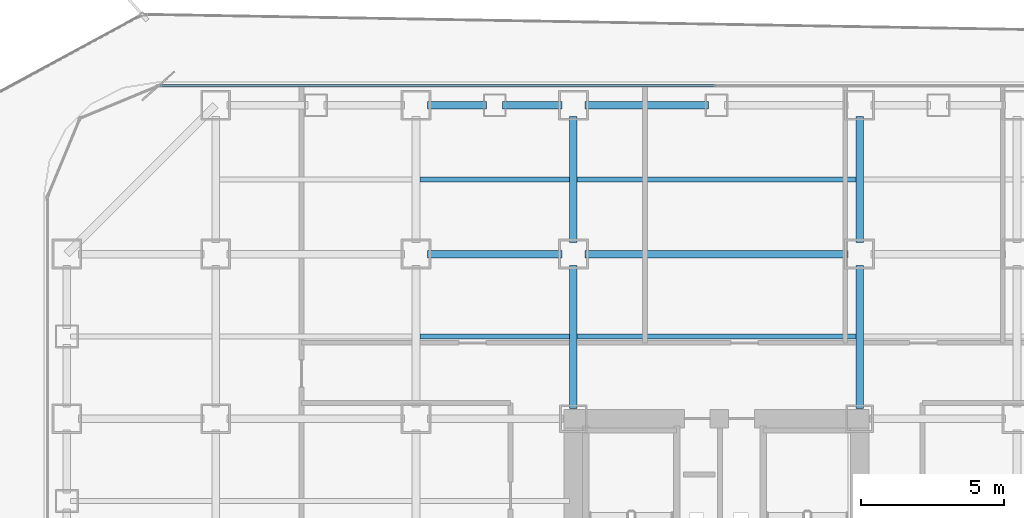
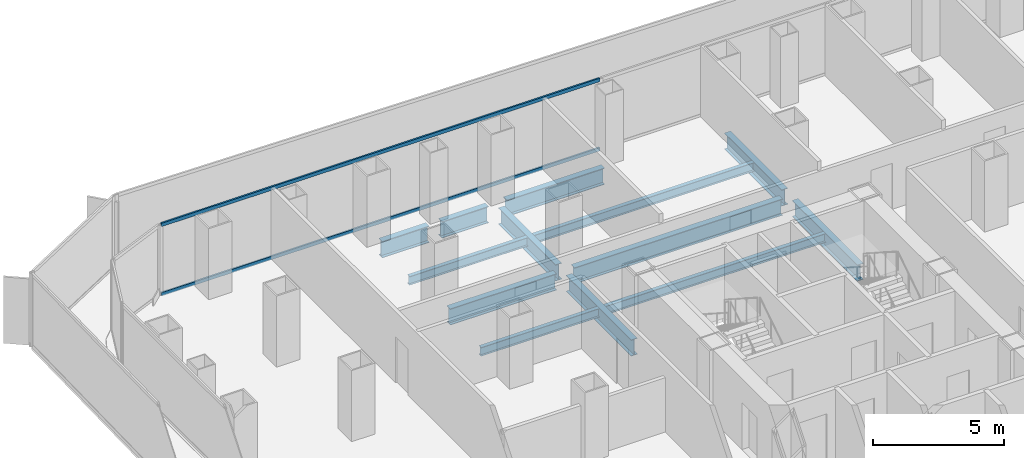
# One storey, part 12 of 22: 13 beams, 2 members, 1 element without a shape of its own.
"""IFC4 building model written with IfcOpenShell, lengths in metres."""

from ifc_helpers import new_model, si_unit, direction, frame, origin, origin_2d, place, context, subcontext, project, spatial, hollow_rectangle, i_section, extrude, source, transform, mapped, material, layer, layer_set, material_profile, profile_set, type_object, element, aggregate, save


model = new_model("IFC4")

# Units and contexts
model_context = context("Model", 3, precision=1e-05, world=origin(), true_north=direction((0.0, 1.0)))
body_context = subcontext(model_context, "Body", "Model", "MODEL_VIEW")
ifc_project = project(units=[si_unit("LENGTHUNIT", "METRE"), si_unit("AREAUNIT", "SQUARE_METRE"), si_unit("VOLUMEUNIT", "CUBIC_METRE"), si_unit("PLANEANGLEUNIT", "RADIAN"), si_unit("MASSUNIT", "GRAM", prefix="KILO")], contexts=[model_context])

# Site, building, storey
site_placement = place(None, origin())
site = spatial("IfcSite", under=ifc_project, at=site_placement, CompositionType="ELEMENT")
building_placement = place(site_placement, origin())
building = spatial("IfcBuilding", under=site, at=building_placement, Name="Kolveth Station Tower", CompositionType="ELEMENT")
storey_placement = place(building_placement, frame((0.0, 0.0, 54.89990234375)))
storey = spatial("IfcBuildingStorey", under=building, at=storey_placement, Name="L14", CompositionType="ELEMENT", Elevation=54.89990234375)

# Beams
ifc_material_1 = material(Name="Steel S355", Category="steel")
ifc_material_profile_1 = material_profile(ifc_material_1, i_section(OverallWidth=0.26904296875, OverallDepth=0.77490234375, WebThickness=0.01708984375, FlangeThickness=0.0283203125, at=origin_2d()), Name="W760x220")
ifc_profile_set_1 = profile_set([ifc_material_profile_1], Name="Steel S355")
beam_type_1 = type_object("IfcBeamType", Name="Beam_SP1", PredefinedType="SPANDREL", material=ifc_profile_set_1)
shared_shape_1 = source(origin(), body_context, "Body", "SweptSolid", [
    extrude(i_section(OverallWidth=0.26904296875, OverallDepth=0.77490234375, WebThickness=0.01708984375, FlangeThickness=0.0283203125, at=origin_2d()), origin(), (0.0, 0.0, 1.0), 2.070068359375),
])
for number, where, z_axis, x_axis, name in (
    (1, (13.39990234375, 39.699951171875, -0.66748046875), (1.0, 0.0, 0.0), (0.0, 1.0, 0.0), "L14 Perimeter Spandrel BM-L14-PN-3"),
    (2, (16.030029296875, 39.699951171875, -0.66748046875), (1.0, 0.0, 0.0), (0.0, 1.0, 0.0), "L14 Perimeter Spandrel BM-L14-PN-4"),
):
    element("IfcBeam", number, at=place(storey_placement, frame(where, z_axis=z_axis, x_axis=x_axis)), inside=storey, type_object=beam_type_1, Name=name, PredefinedType="SPANDREL", context=body_context, shape_type="MappedRepresentation", body=[
        mapped(shared_shape_1, transform((0.0, 0.0, 0.0), x_axis=(1.0, 0.0, 0.0), y_axis=(0.0, 1.0, 0.0), z_axis=(0.0, 0.0, 1.0), scale=1.0)),
    ])
shared_shape_2 = source(origin(), body_context, "Body", "SweptSolid", [
    extrude(i_section(OverallWidth=0.26904296875, OverallDepth=0.77490234375, WebThickness=0.01708984375, FlangeThickness=0.0283203125, at=origin_2d()), origin(), (0.0, 0.0, 1.0), 4.320068359375),
])
beam_1_placement = place(storey_placement, frame((18.89990234375, 39.699951171875, -0.66748046875), z_axis=(1.0, 0.0, 0.0), x_axis=(0.0, 1.0, 0.0)))
element("IfcBeam", 3, at=beam_1_placement, inside=storey, type_object=beam_type_1, Name="L14 Perimeter Spandrel BM-L14-PN-5", PredefinedType="SPANDREL", context=body_context, shape_type="MappedRepresentation", body=[
    mapped(shared_shape_2, transform((0.0, 0.0, 0.0), x_axis=(1.0, 0.0, 0.0), y_axis=(0.0, 1.0, 0.0), z_axis=(0.0, 0.0, 1.0), scale=1.0)),
])
ifc_material_profile_2 = material_profile(ifc_material_1, i_section(OverallWidth=0.26708984375, OverallDepth=0.76611328125, WebThickness=0.014892578125, FlangeThickness=0.023681640625, at=origin_2d()), Name="W760x185")
ifc_profile_set_2 = profile_set([ifc_material_profile_2], Name="Steel S355")
beam_type_2 = type_object("IfcBeamType", Name="Beam_B3", PredefinedType="BEAM", material=ifc_profile_set_2)
shared_shape_3 = source(origin(), body_context, "Body", "SweptSolid", [
    extrude(i_section(OverallWidth=0.26708984375, OverallDepth=0.76611328125, WebThickness=0.014892578125, FlangeThickness=0.023681640625, at=origin_2d()), origin(), (0.0, 0.0, 1.0), 4.400146484375),
])
for number, where, z_axis, x_axis, name in (
    (4, (18.5, 34.89990234375, -0.662841796875), (0.0, 1.0, 0.0), (-1.0, 0.0, 0.0), "L14 Primary Girder BM-L14-GX185-7"),
    (5, (28.5, 34.89990234375, -0.662841796875), (0.0, 1.0, 0.0), (-1.0, 0.0, 0.0), "L14 Primary Girder BM-L14-GX285-7"),
):
    element("IfcBeam", number, at=place(storey_placement, frame(where, z_axis=z_axis, x_axis=x_axis)), inside=storey, type_object=beam_type_2, Name=name, PredefinedType="BEAM", context=body_context, shape_type="MappedRepresentation", body=[
        mapped(shared_shape_3, transform((0.0, 0.0, 0.0), x_axis=(1.0, 0.0, 0.0), y_axis=(0.0, 1.0, 0.0), z_axis=(0.0, 0.0, 1.0), scale=1.0)),
    ])
shared_shape_4 = source(origin(), body_context, "Body", "SweptSolid", [
    extrude(i_section(OverallWidth=0.26708984375, OverallDepth=0.76611328125, WebThickness=0.014892578125, FlangeThickness=0.023681640625, at=origin_2d()), origin(), (0.0, 0.0, 1.0), 4.7001953125),
])
beam_2_placement = place(storey_placement, frame((13.39990234375, 34.5, -0.662841796875), z_axis=(1.0, 0.0, 0.0), x_axis=(0.0, 1.0, 0.0)))
element("IfcBeam", 6, at=beam_2_placement, inside=storey, type_object=beam_type_2, Name="L14 Primary Girder BM-L14-GY345-3", PredefinedType="BEAM", context=body_context, shape_type="MappedRepresentation", body=[
    mapped(shared_shape_4, transform((0.0, 0.0, 0.0), x_axis=(1.0, 0.0, 0.0), y_axis=(0.0, 1.0, 0.0), z_axis=(0.0, 0.0, 1.0), scale=1.0)),
])
shared_shape_5 = source(origin(), body_context, "Body", "SweptSolid", [
    extrude(i_section(OverallWidth=0.26708984375, OverallDepth=0.76611328125, WebThickness=0.014892578125, FlangeThickness=0.023681640625, at=origin_2d()), origin(), (0.0, 0.0, 1.0), 9.2001953125),
])
beam_3_placement = place(storey_placement, frame((18.89990234375, 34.5, -0.662841796875), z_axis=(1.0, 0.0, 0.0), x_axis=(0.0, 1.0, 0.0)))
element("IfcBeam", 7, at=beam_3_placement, inside=storey, type_object=beam_type_2, Name="L14 Primary Girder BM-L14-GY345-4", PredefinedType="BEAM", context=body_context, shape_type="MappedRepresentation", body=[
    mapped(shared_shape_5, transform((0.0, 0.0, 0.0), x_axis=(1.0, 0.0, 0.0), y_axis=(0.0, 1.0, 0.0), z_axis=(0.0, 0.0, 1.0), scale=1.0)),
])
shared_shape_6 = source(origin(), body_context, "Body", "SweptSolid", [
    extrude(i_section(OverallWidth=0.26708984375, OverallDepth=0.76611328125, WebThickness=0.014892578125, FlangeThickness=0.023681640625, at=origin_2d()), origin(), (0.0, 0.0, 1.0), 4.989990234375),
])
for number, where, z_axis, x_axis, name in (
    (8, (18.5, 29.110107421875, -0.662841796875), (0.0, 1.0, 0.0), (-1.0, 0.0, 0.0), "L14 Primary Girder BM-L14-GX185-6"),
    (9, (28.5, 29.110107421875, -0.662841796875), (0.0, 1.0, 0.0), (-1.0, 0.0, 0.0), "L14 Primary Girder BM-L14-GX285-6"),
):
    element("IfcBeam", number, at=place(storey_placement, frame(where, z_axis=z_axis, x_axis=x_axis)), inside=storey, type_object=beam_type_2, Name=name, PredefinedType="BEAM", context=body_context, shape_type="MappedRepresentation", body=[
        mapped(shared_shape_6, transform((0.0, 0.0, 0.0), x_axis=(1.0, 0.0, 0.0), y_axis=(0.0, 1.0, 0.0), z_axis=(0.0, 0.0, 1.0), scale=1.0)),
    ])
ifc_material_profile_3 = material_profile(ifc_material_1, i_section(OverallWidth=0.177978515625, OverallDepth=0.406982421875, WebThickness=0.0078125, FlangeThickness=0.0126953125, at=origin_2d()), Name="W410x60")
ifc_profile_set_3 = profile_set([ifc_material_profile_3], Name="Steel S355")
beam_type_3 = type_object("IfcBeamType", Name="Beam_J1", PredefinedType="JOIST", material=ifc_profile_set_3)
shared_shape_7 = source(origin(), body_context, "Body", "SweptSolid", [
    extrude(i_section(OverallWidth=0.177978515625, OverallDepth=0.406982421875, WebThickness=0.0078125, FlangeThickness=0.0126953125, at=origin_2d()), origin(), (0.0, 0.0, 1.0), 5.23681640625),
])
for number, where, z_axis, x_axis, name in (
    (10, (13.131591796875, 31.625, -0.4833984375), (1.0, 0.0, 0.0), (0.0, 1.0, 0.0), "L14 Secondary Joist JST-L14-3-6"),
    (11, (13.131591796875, 37.10009765625, -0.4833984375), (1.0, 0.0, 0.0), (0.0, 1.0, 0.0), "L14 Secondary Joist JST-L14-3-7"),
):
    element("IfcBeam", number, at=place(storey_placement, frame(where, z_axis=z_axis, x_axis=x_axis)), inside=storey, type_object=beam_type_3, Name=name, PredefinedType="JOIST", context=body_context, shape_type="MappedRepresentation", body=[
        mapped(shared_shape_7, transform((0.0, 0.0, 0.0), x_axis=(1.0, 0.0, 0.0), y_axis=(0.0, 1.0, 0.0), z_axis=(0.0, 0.0, 1.0), scale=1.0)),
    ])
shared_shape_8 = source(origin(), body_context, "Body", "SweptSolid", [
    extrude(i_section(OverallWidth=0.177978515625, OverallDepth=0.406982421875, WebThickness=0.0078125, FlangeThickness=0.0126953125, at=origin_2d()), origin(), (0.0, 0.0, 1.0), 9.73681640625),
])
for number, where, z_axis, x_axis, name in (
    (12, (18.631591796875, 31.625, -0.4833984375), (1.0, 0.0, 0.0), (0.0, 1.0, 0.0), "L14 Secondary Joist JST-L14-4-6"),
    (13, (18.631591796875, 37.10009765625, -0.4833984375), (1.0, 0.0, 0.0), (0.0, 1.0, 0.0), "L14 Secondary Joist JST-L14-4-7"),
):
    element("IfcBeam", number, at=place(storey_placement, frame(where, z_axis=z_axis, x_axis=x_axis)), inside=storey, type_object=beam_type_3, Name=name, PredefinedType="JOIST", context=body_context, shape_type="MappedRepresentation", body=[
        mapped(shared_shape_8, transform((0.0, 0.0, 0.0), x_axis=(1.0, 0.0, 0.0), y_axis=(0.0, 1.0, 0.0), z_axis=(0.0, 0.0, 1.0), scale=1.0)),
    ])

# Curtain wall, members
ifc_material_2 = material(Name="Aluminium 6063-T6 and low-E dark glass", Category="aluminium")
ifc_layer = layer(ifc_material_2, 0.179931640625)
ifc_layer_set = layer_set([ifc_layer], Name="Aluminium 6063-T6 and low-E dark glass")
curtain_wall_type = type_object("IfcCurtainWallType", Name="CurtainWall_CW-Z1", PredefinedType="NOTDEFINED", material=ifc_layer_set)
curtain_wall_placement = place(storey_placement, origin())
curtain_wall = element("IfcCurtainWall", 14, at=curtain_wall_placement, inside=storey, type_object=curtain_wall_type, Name="L14 Inner Thermal Curtain Wall 6", PredefinedType="NOTDEFINED")
ifc_material_3 = material(Name="Black anodized aluminium 6063-T6", Category="aluminium")
ifc_material_profile_4 = material_profile(ifc_material_3, hollow_rectangle(XDim=0.074951171875, YDim=0.159912109375, WallThickness=0.0048828125, at=origin_2d()), Name="ALU-75x160x5")
ifc_profile_set_4 = profile_set([ifc_material_profile_4], Name="Black anodized aluminium 6063-T6")
member_type = type_object("IfcMemberType", Name="Transom_TR1", PredefinedType="USERDEFINED", material=ifc_profile_set_4)
shared_shape_9 = source(origin(), body_context, "Body", "SweptSolid", [
    extrude(hollow_rectangle(XDim=0.074951171875, YDim=0.159912109375, WallThickness=0.0048828125, at=origin_2d()), origin(), (0.0, 0.0, 1.0), 19.387451171875),
])
member_1_placement = place(storey_placement, frame((23.46240234375, 40.3798828125, 0.03759765625), z_axis=(-1.0, 0.0, 0.0), x_axis=(0.0, -1.0, 0.0)))
member_1 = element("IfcMember", 15, at=member_1_placement, type_object=member_type, Name="CW-Z1 transom 2.1", ObjectType="TRANSOM", PredefinedType="USERDEFINED", context=body_context, shape_type="MappedRepresentation", body=[
    mapped(shared_shape_9, transform((0.0, 0.0, 0.0), x_axis=(1.0, 0.0, 0.0), y_axis=(0.0, 1.0, 0.0), z_axis=(0.0, 0.0, 1.0), scale=1.0)),
])
member_2_placement = place(storey_placement, frame((23.46240234375, 40.3798828125, 3.28271484375), z_axis=(-1.0, 0.0, 0.0), x_axis=(0.0, -1.0, 0.0)))
member_2 = element("IfcMember", 16, at=member_2_placement, type_object=member_type, Name="CW-Z1 transom 2.2", ObjectType="TRANSOM", PredefinedType="USERDEFINED", context=body_context, shape_type="MappedRepresentation", body=[
    mapped(shared_shape_9, transform((0.0, 0.0, 0.0), x_axis=(1.0, 0.0, 0.0), y_axis=(0.0, 1.0, 0.0), z_axis=(0.0, 0.0, 1.0), scale=1.0)),
])
aggregate(curtain_wall, [member_1, member_2])

save(model, "model.ifc")
